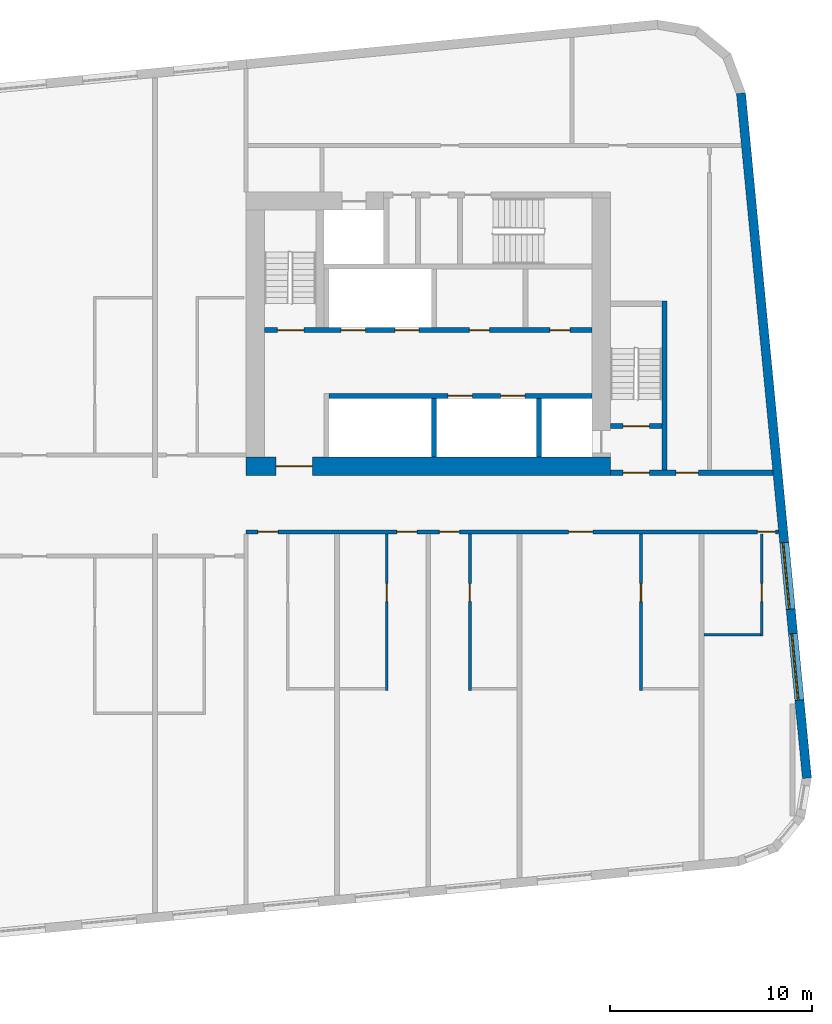
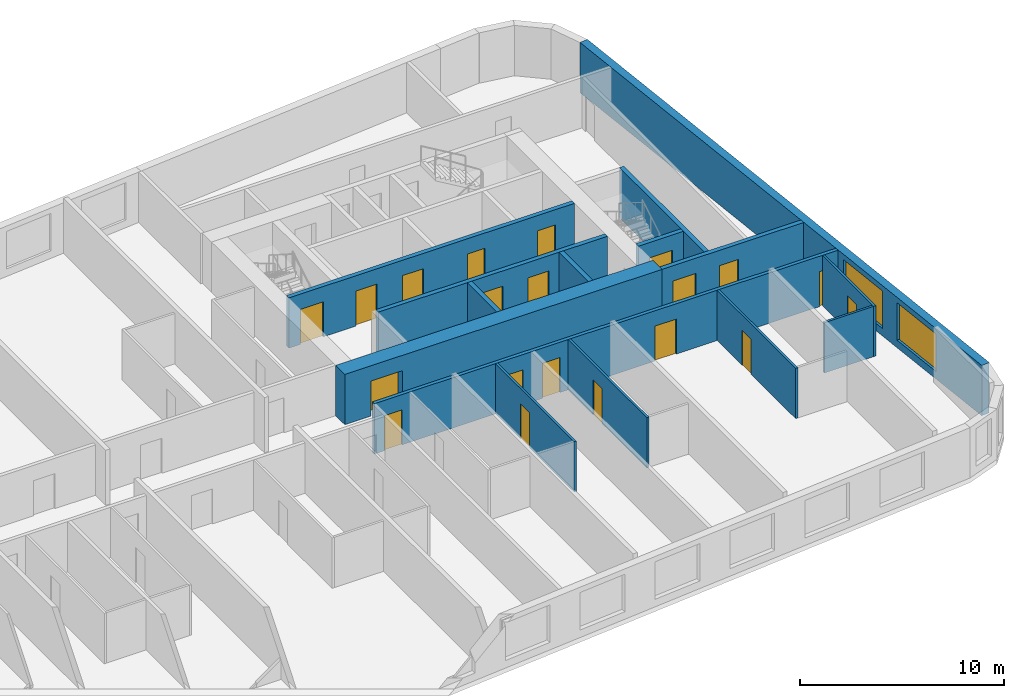
# One storey, part 7 of 12: 20 doors, 15 walls, 2 windows, 22 openings.
"""IFC4 building model written with IfcOpenShell, lengths in metres."""

from ifc_helpers import new_model, si_unit, direction, frame, frame_2d, origin, place, context, subcontext, project, spatial, rectangle, extrude, material, layer, layer_set, type_object, element, fill, save


model = new_model("IFC4")

# Units and contexts
model_context = context("Model", 3, precision=1e-05, world=origin(), true_north=direction((0.0, 1.0)))
body_context = subcontext(model_context, "Body", "Model", "MODEL_VIEW")
ifc_project = project(units=[si_unit("LENGTHUNIT", "METRE"), si_unit("AREAUNIT", "SQUARE_METRE"), si_unit("VOLUMEUNIT", "CUBIC_METRE"), si_unit("PLANEANGLEUNIT", "RADIAN"), si_unit("MASSUNIT", "GRAM", prefix="KILO")], contexts=[model_context])

# Site, building, storey
site_placement = place(None, origin())
site = spatial("IfcSite", under=ifc_project, at=site_placement, CompositionType="ELEMENT")
building_placement = place(site_placement, origin())
building = spatial("IfcBuilding", under=site, at=building_placement, Name="Kajstack Hotel Tower", CompositionType="ELEMENT")
storey_placement = place(building_placement, frame((0.0, 0.0, 199.89990234375)))
storey = spatial("IfcBuildingStorey", under=building, at=storey_placement, Name="L48", CompositionType="ELEMENT", Elevation=199.89990234375)

# Wall, opening, door
ifc_material_1 = material(Name="Concrete C60/75", Category="concrete")
ifc_layer_1 = layer(ifc_material_1, 0.89990234375)
ifc_layer_set_1 = layer_set([ifc_layer_1], Name="Core wall 900")
wall_type_1 = type_object("IfcWallType", Name="Core wall 900", PredefinedType="SHEAR", material=ifc_layer_set_1)
wall_1_placement = place(storey_placement, frame((13.5, 1.949951171875, 0.0), z_axis=(0.0, 0.0, 1.0), x_axis=(1.0, 0.0, 0.0)))
wall_1 = element("IfcWall", 1, at=wall_1_placement, inside=storey, type_object=wall_type_1, Name="Core wall E RN", PredefinedType="SHEAR", context=body_context, shape_type="SweptSolid", body=[
    extrude(rectangle(XDim=18.0, YDim=0.89990234375, at=frame_2d((9.0, 0.0))), origin(), (0.0, 0.0, 1.0), 3.02001953125),
])
opening_1_placement = place(wall_1_placement, frame((1.47509765625, 0.0, 0.0)))
opening_1 = element("IfcOpeningElement", 2, at=opening_1_placement, cuts=wall_1, Name="Opening 48E07", PredefinedType="OPENING", context=body_context, shape_type="SweptSolid", body=[
    extrude(rectangle(XDim=1.800048828125, YDim=2.10009765625, at=frame_2d((0.89990234375, 1.050048828125))), frame((0.0, 0.4599609375, 0.0), z_axis=(0.0, -1.0, 0.0), x_axis=(1.0, 0.0, 0.0)), (0.0, 0.0, 1.0), 0.919921875),
])
ifc_material_2 = material(Name="Glazed steel frame, fire-rated glass", Category="steel")
door_type_1 = type_object("IfcDoorType", Name="Lobby double door 1800", OperationType="DOUBLE_DOOR_DOUBLE_SWING", PredefinedType="DOOR", material=ifc_material_2)
door_1_placement = place(opening_1_placement, origin())
door_1 = element("IfcDoor", 3, at=door_1_placement, inside=storey, type_object=door_type_1, Name="Door 48E07", OperationType="DOUBLE_DOOR_DOUBLE_SWING", OverallHeight=2.10009765625, OverallWidth=1.800048828125, PredefinedType="DOOR", context=body_context, shape_type="SweptSolid", body=[
    extrude(rectangle(XDim=1.800048828125, YDim=2.10009765625, at=frame_2d((0.89990234375, 1.050048828125))), frame((0.0, 0.02490234375, 0.0), z_axis=(0.0, -1.0, 0.0), x_axis=(1.0, 0.0, 0.0)), (0.0, 0.0, 1.0), 0.050048828125),
])
fill(opening_1, door_1)

# Wall, openings, doors
ifc_material_3 = material(Name="Gypsum board on steel studs, mineral wool", Category="steel")
ifc_layer_2 = layer(ifc_material_3, 0.199951171875)
ifc_layer_set_2 = layer_set([ifc_layer_2], Name="Corridor wall 200")
wall_type_2 = type_object("IfcWallType", Name="Corridor wall 200", PredefinedType="PARTITIONING", material=ifc_layer_set_2)
wall_2_placement = place(storey_placement, frame((13.5, -1.300048828125, 0.0), z_axis=(0.0, 0.0, 1.0), x_axis=(1.0, 0.0, 0.0)))
wall_2 = element("IfcWall", 4, at=wall_2_placement, inside=storey, type_object=wall_type_2, Name="G-wall-L48-029", PredefinedType="PARTITIONING", context=body_context, shape_type="SweptSolid", body=[
    extrude(rectangle(XDim=26.31689453125, YDim=0.199951171875, at=frame_2d((13.158447265625, 0.0))), origin(), (0.0, 0.0, 1.0), 3.02001953125),
])
opening_2_placement = place(wall_2_placement, frame((0.574951171875, 0.0, 0.0)))
opening_2 = element("IfcOpeningElement", 5, at=opening_2_placement, cuts=wall_2, Name="Opening 48032", PredefinedType="OPENING", context=body_context, shape_type="SweptSolid", body=[
    extrude(rectangle(XDim=1.0, YDim=2.10009765625, at=frame_2d((0.5, 1.050048828125))), frame((0.0, 0.10986328125, 0.0), z_axis=(0.0, -1.0, 0.0), x_axis=(1.0, 0.0, 0.0)), (0.0, 0.0, 1.0), 0.219970703125),
])
opening_3_placement = place(wall_2_placement, frame((7.449951171875, 0.0, 0.0)))
opening_3 = element("IfcOpeningElement", 6, at=opening_3_placement, cuts=wall_2, Name="Opening 48034", PredefinedType="OPENING", context=body_context, shape_type="SweptSolid", body=[
    extrude(rectangle(XDim=1.0, YDim=2.10009765625, at=frame_2d((0.5, 1.050048828125))), frame((0.0, 0.10986328125, 0.0), z_axis=(0.0, -1.0, 0.0), x_axis=(1.0, 0.0, 0.0)), (0.0, 0.0, 1.0), 0.219970703125),
])
opening_4_placement = place(wall_2_placement, frame((9.550048828125, 0.0, 0.0)))
opening_4 = element("IfcOpeningElement", 7, at=opening_4_placement, cuts=wall_2, Name="Opening 48036", PredefinedType="OPENING", context=body_context, shape_type="SweptSolid", body=[
    extrude(rectangle(XDim=1.0, YDim=2.10009765625, at=frame_2d((0.5, 1.050048828125))), frame((0.0, 0.10986328125, 0.0), z_axis=(0.0, -1.0, 0.0), x_axis=(1.0, 0.0, 0.0)), (0.0, 0.0, 1.0), 0.219970703125),
])
opening_5_placement = place(wall_2_placement, frame((15.93798828125, 0.0, 0.0)))
opening_5 = element("IfcOpeningElement", 8, at=opening_5_placement, cuts=wall_2, Name="Opening 48038", PredefinedType="OPENING", context=body_context, shape_type="SweptSolid", body=[
    extrude(rectangle(XDim=1.199951171875, YDim=2.10009765625, at=frame_2d((0.60009765625, 1.050048828125))), frame((0.0, 0.10986328125, 0.0), z_axis=(0.0, -1.0, 0.0), x_axis=(1.0, 0.0, 0.0)), (0.0, 0.0, 1.0), 0.219970703125),
])
opening_6_placement = place(wall_2_placement, frame((25.26708984375, 0.0, 0.0)))
opening_6 = element("IfcOpeningElement", 9, at=opening_6_placement, cuts=wall_2, Name="Opening 48040", PredefinedType="OPENING", context=body_context, shape_type="SweptSolid", body=[
    extrude(rectangle(XDim=0.89990234375, YDim=2.10009765625, at=frame_2d((0.449951171875, 1.050048828125))), frame((0.0, 0.10986328125, 0.0), z_axis=(0.0, -1.0, 0.0), x_axis=(1.0, 0.0, 0.0)), (0.0, 0.0, 1.0), 0.219970703125),
])
ifc_material_4 = material(Name="Oak veneer on timber core, fire-rated leaf", Category="wood")
door_type_2 = type_object("IfcDoorType", Name="Flat entrance door 1000", OperationType="SINGLE_SWING_LEFT", PredefinedType="DOOR", material=ifc_material_4)
door_2_placement = place(opening_2_placement, origin())
door_2 = element("IfcDoor", 10, at=door_2_placement, inside=storey, type_object=door_type_2, Name="G-door-L48-32", OperationType="SINGLE_SWING_LEFT", OverallHeight=2.10009765625, OverallWidth=1.0, PredefinedType="DOOR", context=body_context, shape_type="SweptSolid", body=[
    extrude(rectangle(XDim=1.0, YDim=2.10009765625, at=frame_2d((0.5, 1.050048828125))), frame((0.0, 0.02490234375, 0.0), z_axis=(0.0, -1.0, 0.0), x_axis=(1.0, 0.0, 0.0)), (0.0, 0.0, 1.0), 0.050048828125),
])
fill(opening_2, door_2)
door_3_placement = place(opening_3_placement, origin())
door_3 = element("IfcDoor", 11, at=door_3_placement, inside=storey, type_object=door_type_2, Name="G-door-L48-34", OperationType="SINGLE_SWING_RIGHT", OverallHeight=2.10009765625, OverallWidth=1.0, PredefinedType="DOOR", context=body_context, shape_type="SweptSolid", body=[
    extrude(rectangle(XDim=1.0, YDim=2.10009765625, at=frame_2d((0.5, 1.050048828125))), frame((0.0, 0.02490234375, 0.0), z_axis=(0.0, -1.0, 0.0), x_axis=(1.0, 0.0, 0.0)), (0.0, 0.0, 1.0), 0.050048828125),
])
fill(opening_3, door_3)
door_4_placement = place(opening_4_placement, origin())
door_4 = element("IfcDoor", 12, at=door_4_placement, inside=storey, type_object=door_type_2, Name="G-door-L48-36", OperationType="SINGLE_SWING_RIGHT", OverallHeight=2.10009765625, OverallWidth=1.0, PredefinedType="DOOR", context=body_context, shape_type="SweptSolid", body=[
    extrude(rectangle(XDim=1.0, YDim=2.10009765625, at=frame_2d((0.5, 1.050048828125))), frame((0.0, 0.02490234375, 0.0), z_axis=(0.0, -1.0, 0.0), x_axis=(1.0, 0.0, 0.0)), (0.0, 0.0, 1.0), 0.050048828125),
])
fill(opening_4, door_4)
door_type_3 = type_object("IfcDoorType", Name="Flat entrance door 1200", OperationType="SINGLE_SWING_LEFT", PredefinedType="DOOR", material=ifc_material_4)
door_5_placement = place(opening_5_placement, origin())
door_5 = element("IfcDoor", 13, at=door_5_placement, inside=storey, type_object=door_type_3, Name="G-door-L48-38", OperationType="SINGLE_SWING_LEFT", OverallHeight=2.10009765625, OverallWidth=1.199951171875, PredefinedType="DOOR", context=body_context, shape_type="SweptSolid", body=[
    extrude(rectangle(XDim=1.199951171875, YDim=2.10009765625, at=frame_2d((0.60009765625, 1.050048828125))), frame((0.0, 0.02490234375, 0.0), z_axis=(0.0, -1.0, 0.0), x_axis=(1.0, 0.0, 0.0)), (0.0, 0.0, 1.0), 0.050048828125),
])
fill(opening_5, door_5)
ifc_material_5 = material(Name="Painted timber door leaf", Category="wood")
door_type_4 = type_object("IfcDoorType", Name="Room door 900", OperationType="SINGLE_SWING_LEFT", PredefinedType="DOOR", material=ifc_material_5)
door_6_placement = place(opening_6_placement, origin())
door_6 = element("IfcDoor", 14, at=door_6_placement, inside=storey, type_object=door_type_4, Name="G-door-L48-40", OperationType="SINGLE_SWING_RIGHT", OverallHeight=2.10009765625, OverallWidth=0.89990234375, PredefinedType="DOOR", context=body_context, shape_type="SweptSolid", body=[
    extrude(rectangle(XDim=0.89990234375, YDim=2.10009765625, at=frame_2d((0.449951171875, 1.050048828125))), frame((0.0, 0.02490234375, 0.0), z_axis=(0.0, -1.0, 0.0), x_axis=(1.0, 0.0, 0.0)), (0.0, 0.0, 1.0), 0.050048828125),
])
fill(opening_6, door_6)

# Wall, openings, windows
ifc_material_6 = material(Name="Terracotta-faced brick masonry", Category="masonry")
ifc_layer_3 = layer(ifc_material_6, 0.449951171875)
ifc_layer_set_3 = layer_set([ifc_layer_3], Name="EW-TERRA")
wall_type_3 = type_object("IfcWallType", Name="EW-TERRA", PredefinedType="SOLIDWALL", material=ifc_layer_set_3)
wall_3_placement = place(storey_placement, frame((41.21435546875, -13.465576171875, 0.0), z_axis=(0.0, 0.0, 1.0), x_axis=(-0.095847314626, 0.995396047952, 0.0)))
wall_3 = element("IfcWall", 15, at=wall_3_placement, inside=storey, type_object=wall_type_3, Name="E-wall-L48-08-00", PredefinedType="SOLIDWALL", context=body_context, shape_type="SweptSolid", body=[
    extrude(rectangle(XDim=33.999755859375, YDim=0.449951171875, at=frame_2d((17.0, 0.0))), origin(), (0.0, 0.0, 1.0), 3.02001953125),
])
opening_7_placement = place(wall_3_placement, frame((3.869384765625, 0.0, 0.449951171875)))
opening_7 = element("IfcOpeningElement", 16, at=opening_7_placement, cuts=wall_3, Name="Opening W2", PredefinedType="OPENING", context=body_context, shape_type="SweptSolid", body=[
    extrude(rectangle(XDim=3.300048828125, YDim=2.25, at=frame_2d((1.64990234375, 1.125))), frame((0.0, 0.23486328125, 0.0), z_axis=(0.0, -1.0, 0.0), x_axis=(1.0, 0.0, 0.0)), (0.0, 0.0, 1.0), 0.469970703125),
])
opening_8_placement = place(wall_3_placement, frame((8.390380859375, 0.0, 0.449951171875)))
opening_8 = element("IfcOpeningElement", 17, at=opening_8_placement, cuts=wall_3, Name="Opening W2", PredefinedType="OPENING", context=body_context, shape_type="SweptSolid", body=[
    extrude(rectangle(XDim=3.300048828125, YDim=2.25, at=frame_2d((1.64990234375, 1.125))), frame((0.0, 0.23486328125, 0.0), z_axis=(0.0, -1.0, 0.0), x_axis=(1.0, 0.0, 0.0)), (0.0, 0.0, 1.0), 0.469970703125),
])
ifc_material_7 = material(Name="Timber-aluminium window, triple glazed", Category="wood")
window_type = type_object("IfcWindowType", Name="WG2", PartitioningType="SINGLE_PANEL", PredefinedType="WINDOW", material=ifc_material_7)
window_1_placement = place(opening_7_placement, origin())
window_1 = element("IfcWindow", 18, at=window_1_placement, inside=storey, type_object=window_type, Name="Window W2 L48-08", OverallHeight=2.25, OverallWidth=3.300048828125, PartitioningType="SINGLE_PANEL", PredefinedType="WINDOW", context=body_context, shape_type="SweptSolid", body=[
    extrude(rectangle(XDim=3.300048828125, YDim=2.25, at=frame_2d((1.64990234375, 1.125))), frame((0.0, 0.090087890625, 0.0), z_axis=(0.0, -1.0, 0.0), x_axis=(1.0, 0.0, 0.0)), (0.0, 0.0, 1.0), 0.06005859375),
])
fill(opening_7, window_1)
window_2_placement = place(opening_8_placement, origin())
window_2 = element("IfcWindow", 19, at=window_2_placement, inside=storey, type_object=window_type, Name="Window W2 L48-08", OverallHeight=2.25, OverallWidth=3.300048828125, PartitioningType="SINGLE_PANEL", PredefinedType="WINDOW", context=body_context, shape_type="SweptSolid", body=[
    extrude(rectangle(XDim=3.300048828125, YDim=2.25, at=frame_2d((1.64990234375, 1.125))), frame((0.0, 0.090087890625, 0.0), z_axis=(0.0, -1.0, 0.0), x_axis=(1.0, 0.0, 0.0)), (0.0, 0.0, 1.0), 0.06005859375),
])
fill(opening_8, window_2)

# Wall, opening, door
ifc_material_8 = material(Name="Gypsum board and tiled backer on steel studs", Category="steel")
ifc_layer_4 = layer(ifc_material_8, 0.125)
ifc_layer_set_4 = layer_set([ifc_layer_4], Name="En-suite wall 125")
wall_type_4 = type_object("IfcWallType", Name="En-suite wall 125", PredefinedType="PARTITIONING", material=ifc_layer_set_4)
wall_4_placement = place(storey_placement, frame((20.43798828125, -9.125, 0.0), z_axis=(0.0, 0.0, 1.0), x_axis=(0.0, 1.0, 0.0)))
wall_4 = element("IfcWall", 20, at=wall_4_placement, inside=storey, type_object=wall_type_4, Name="G-wall-L48-046", PredefinedType="PARTITIONING", context=body_context, shape_type="SweptSolid", body=[
    extrude(rectangle(XDim=7.72509765625, YDim=0.125, at=frame_2d((3.862548828125, 0.0))), origin(), (0.0, 0.0, 1.0), 3.02001953125),
])
opening_9_placement = place(wall_4_placement, frame((4.375, 0.0, 0.0)))
opening_9 = element("IfcOpeningElement", 21, at=opening_9_placement, cuts=wall_4, Name="Opening 48035", PredefinedType="OPENING", context=body_context, shape_type="SweptSolid", body=[
    extrude(rectangle(XDim=0.89990234375, YDim=2.10009765625, at=frame_2d((0.449951171875, 1.050048828125))), frame((0.0, 0.072509765625, 0.0), z_axis=(0.0, -1.0, 0.0), x_axis=(1.0, 0.0, 0.0)), (0.0, 0.0, 1.0), 0.14501953125),
])
door_7_placement = place(opening_9_placement, origin())
door_7 = element("IfcDoor", 22, at=door_7_placement, inside=storey, type_object=door_type_4, Name="G-door-L48-35", OperationType="SINGLE_SWING_LEFT", OverallHeight=2.10009765625, OverallWidth=0.89990234375, PredefinedType="DOOR", context=body_context, shape_type="SweptSolid", body=[
    extrude(rectangle(XDim=0.89990234375, YDim=2.10009765625, at=frame_2d((0.449951171875, 1.050048828125))), frame((0.0, 0.02490234375, 0.0), z_axis=(0.0, -1.0, 0.0), x_axis=(1.0, 0.0, 0.0)), (0.0, 0.0, 1.0), 0.050048828125),
])
fill(opening_9, door_7)

wall_5_placement = place(storey_placement, frame((24.56201171875, -9.125, 0.0), z_axis=(0.0, 0.0, 1.0), x_axis=(0.0, 1.0, 0.0)))
wall_5 = element("IfcWall", 23, at=wall_5_placement, inside=storey, type_object=wall_type_4, Name="G-wall-L48-048", PredefinedType="PARTITIONING", context=body_context, shape_type="SweptSolid", body=[
    extrude(rectangle(XDim=7.72509765625, YDim=0.125, at=frame_2d((3.862548828125, 0.0))), origin(), (0.0, 0.0, 1.0), 3.02001953125),
])
opening_10_placement = place(wall_5_placement, frame((4.375, 0.0, 0.0)))
opening_10 = element("IfcOpeningElement", 24, at=opening_10_placement, cuts=wall_5, Name="Opening 48037", PredefinedType="OPENING", context=body_context, shape_type="SweptSolid", body=[
    extrude(rectangle(XDim=0.89990234375, YDim=2.10009765625, at=frame_2d((0.449951171875, 1.050048828125))), frame((0.0, 0.072509765625, 0.0), z_axis=(0.0, -1.0, 0.0), x_axis=(1.0, 0.0, 0.0)), (0.0, 0.0, 1.0), 0.14501953125),
])
door_8_placement = place(opening_10_placement, origin())
door_8 = element("IfcDoor", 25, at=door_8_placement, inside=storey, type_object=door_type_4, Name="G-door-L48-37", OperationType="SINGLE_SWING_RIGHT", OverallHeight=2.10009765625, OverallWidth=0.89990234375, PredefinedType="DOOR", context=body_context, shape_type="SweptSolid", body=[
    extrude(rectangle(XDim=0.89990234375, YDim=2.10009765625, at=frame_2d((0.449951171875, 1.050048828125))), frame((0.0, 0.02490234375, 0.0), z_axis=(0.0, -1.0, 0.0), x_axis=(1.0, 0.0, 0.0)), (0.0, 0.0, 1.0), 0.050048828125),
])
fill(opening_10, door_8)

wall_6_placement = place(storey_placement, frame((33.012939453125, -9.125, 0.0), z_axis=(0.0, 0.0, 1.0), x_axis=(0.0, 1.0, 0.0)))
wall_6 = element("IfcWall", 26, at=wall_6_placement, inside=storey, type_object=wall_type_4, Name="G-wall-L48-050", PredefinedType="PARTITIONING", context=body_context, shape_type="SweptSolid", body=[
    extrude(rectangle(XDim=7.72509765625, YDim=0.125, at=frame_2d((3.862548828125, 0.0))), origin(), (0.0, 0.0, 1.0), 3.02001953125),
])
opening_11_placement = place(wall_6_placement, frame((4.375, 0.0, 0.0)))
opening_11 = element("IfcOpeningElement", 27, at=opening_11_placement, cuts=wall_6, Name="Opening 48039", PredefinedType="OPENING", context=body_context, shape_type="SweptSolid", body=[
    extrude(rectangle(XDim=0.89990234375, YDim=2.10009765625, at=frame_2d((0.449951171875, 1.050048828125))), frame((0.0, 0.072509765625, 0.0), z_axis=(0.0, -1.0, 0.0), x_axis=(1.0, 0.0, 0.0)), (0.0, 0.0, 1.0), 0.14501953125),
])
door_9_placement = place(opening_11_placement, origin())
door_9 = element("IfcDoor", 28, at=door_9_placement, inside=storey, type_object=door_type_4, Name="G-door-L48-39", OperationType="SINGLE_SWING_RIGHT", OverallHeight=2.10009765625, OverallWidth=0.89990234375, PredefinedType="DOOR", context=body_context, shape_type="SweptSolid", body=[
    extrude(rectangle(XDim=0.89990234375, YDim=2.10009765625, at=frame_2d((0.449951171875, 1.050048828125))), frame((0.0, 0.02490234375, 0.0), z_axis=(0.0, -1.0, 0.0), x_axis=(1.0, 0.0, 0.0)), (0.0, 0.0, 1.0), 0.050048828125),
])
fill(opening_11, door_9)

wall_7_placement = place(storey_placement, frame((38.987060546875, -6.445068359375, 0.0), z_axis=(0.0, 0.0, 1.0), x_axis=(0.0, 1.0, 0.0)))
wall_7 = element("IfcWall", 29, at=wall_7_placement, inside=storey, type_object=wall_type_4, Name="G-wall-L48-052", PredefinedType="PARTITIONING", context=body_context, shape_type="SweptSolid", body=[
    extrude(rectangle(XDim=5.045166015625, YDim=0.125, at=frame_2d((2.5224609375, 0.0))), origin(), (0.0, 0.0, 1.0), 3.02001953125),
])
opening_12_placement = place(wall_7_placement, frame((1.695068359375, 0.0, 0.0)))
opening_12 = element("IfcOpeningElement", 30, at=opening_12_placement, cuts=wall_7, Name="Opening 48041", PredefinedType="OPENING", context=body_context, shape_type="SweptSolid", body=[
    extrude(rectangle(XDim=0.89990234375, YDim=2.10009765625, at=frame_2d((0.449951171875, 1.050048828125))), frame((0.0, 0.072509765625, 0.0), z_axis=(0.0, -1.0, 0.0), x_axis=(1.0, 0.0, 0.0)), (0.0, 0.0, 1.0), 0.14501953125),
])
door_10_placement = place(opening_12_placement, origin())
door_10 = element("IfcDoor", 31, at=door_10_placement, inside=storey, type_object=door_type_4, Name="G-door-L48-41", OperationType="SINGLE_SWING_RIGHT", OverallHeight=2.10009765625, OverallWidth=0.89990234375, PredefinedType="DOOR", context=body_context, shape_type="SweptSolid", body=[
    extrude(rectangle(XDim=0.89990234375, YDim=2.10009765625, at=frame_2d((0.449951171875, 1.050048828125))), frame((0.0, 0.02490234375, 0.0), z_axis=(0.0, -1.0, 0.0), x_axis=(1.0, 0.0, 0.0)), (0.0, 0.0, 1.0), 0.050048828125),
])
fill(opening_12, door_10)

# Walls
wall_8_placement = place(storey_placement, frame((36.125, -6.382080078125, 0.0), z_axis=(0.0, 0.0, 1.0), x_axis=(1.0, 0.0, 0.0)))
element("IfcWall", 32, at=wall_8_placement, inside=storey, type_object=wall_type_4, Name="G-wall-L48-053", PredefinedType="PARTITIONING", context=body_context, shape_type="SweptSolid", body=[
    extrude(rectangle(XDim=2.800048828125, YDim=0.125, at=frame_2d((1.39990234375, 0.0))), origin(), (0.0, 0.0, 1.0), 3.02001953125),
])
ifc_material_9 = material(Name="Concrete C50/60", Category="concrete")
ifc_layer_5 = layer(ifc_material_9, 0.300048828125)
ifc_layer_set_5 = layer_set([ifc_layer_5], Name="Hoistway divider wall 300")
wall_type_5 = type_object("IfcWallType", Name="Hoistway divider wall 300", PredefinedType="SHEAR", material=ifc_layer_set_5)
wall_9_placement = place(storey_placement, frame((22.77490234375, 2.39990234375, 0.0), z_axis=(0.0, 0.0, 1.0), x_axis=(0.0, 1.0, 0.0)))
element("IfcWall", 33, at=wall_9_placement, inside=storey, type_object=wall_type_5, Name="Core wall E AP2", PredefinedType="SHEAR", context=body_context, shape_type="SweptSolid", body=[
    extrude(rectangle(XDim=2.900146484375, YDim=0.25, at=frame_2d((1.4501953125, 0.0))), origin(), (0.0, 0.0, 1.0), 3.02001953125),
])

# Wall, openings, doors
ifc_layer_6 = layer(ifc_material_3, 0.199951171875)
ifc_layer_set_6 = layer_set([ifc_layer_6], Name="Service partition 200")
wall_type_6 = type_object("IfcWallType", Name="Service partition 200", PredefinedType="PARTITIONING", material=ifc_layer_set_6)
wall_10_placement = place(storey_placement, frame((31.5, 1.625, 0.0), z_axis=(0.0, 0.0, 1.0), x_axis=(1.0, 0.0, 0.0)))
wall_10 = element("IfcWall", 34, at=wall_10_placement, inside=storey, type_object=wall_type_6, Name="Partition E SN", PredefinedType="PARTITIONING", context=body_context, shape_type="SweptSolid", body=[
    extrude(rectangle(XDim=8.035400390625, YDim=0.25, at=frame_2d((4.017578125, 0.0))), origin(), (0.0, 0.0, 1.0), 3.02001953125),
])
opening_13_placement = place(wall_10_placement, frame((0.625, 0.0, 0.0)))
opening_13 = element("IfcOpeningElement", 35, at=opening_13_placement, cuts=wall_10, Name="Opening 48E08", PredefinedType="OPENING", context=body_context, shape_type="SweptSolid", body=[
    extrude(rectangle(XDim=1.300048828125, YDim=2.10009765625, at=frame_2d((0.64990234375, 1.050048828125))), frame((0.0, 0.135009765625, 0.0), z_axis=(0.0, -1.0, 0.0), x_axis=(1.0, 0.0, 0.0)), (0.0, 0.0, 1.0), 0.27001953125),
])
opening_14_placement = place(wall_10_placement, frame((3.25, 0.0, 0.0)))
opening_14 = element("IfcOpeningElement", 36, at=opening_14_placement, cuts=wall_10, Name="Opening 48E10", PredefinedType="OPENING", context=body_context, shape_type="SweptSolid", body=[
    extrude(rectangle(XDim=1.10009765625, YDim=2.10009765625, at=frame_2d((0.550048828125, 1.050048828125))), frame((0.0, 0.135009765625, 0.0), z_axis=(0.0, -1.0, 0.0), x_axis=(1.0, 0.0, 0.0)), (0.0, 0.0, 1.0), 0.27001953125),
])
ifc_material_10 = material(Name="Steel leaf, fire-rated", Category="steel")
door_type_5 = type_object("IfcDoorType", Name="Fire lobby door 1300", OperationType="SINGLE_SWING_LEFT", PredefinedType="DOOR", material=ifc_material_10)
door_11_placement = place(opening_13_placement, origin())
door_11 = element("IfcDoor", 37, at=door_11_placement, inside=storey, type_object=door_type_5, Name="Door 48E08", OperationType="SINGLE_SWING_LEFT", OverallHeight=2.10009765625, OverallWidth=1.300048828125, PredefinedType="DOOR", context=body_context, shape_type="SweptSolid", body=[
    extrude(rectangle(XDim=1.300048828125, YDim=2.10009765625, at=frame_2d((0.64990234375, 1.050048828125))), frame((0.0, 0.02490234375, 0.0), z_axis=(0.0, -1.0, 0.0), x_axis=(1.0, 0.0, 0.0)), (0.0, 0.0, 1.0), 0.050048828125),
])
fill(opening_13, door_11)
ifc_material_11 = material(Name="Timber leaf, fire-rated", Category="wood")
door_type_6 = type_object("IfcDoorType", Name="Service corridor door 1100", OperationType="SINGLE_SWING_LEFT", PredefinedType="DOOR", material=ifc_material_11)
door_12_placement = place(opening_14_placement, origin())
door_12 = element("IfcDoor", 38, at=door_12_placement, inside=storey, type_object=door_type_6, Name="Door 48E10", OperationType="SINGLE_SWING_LEFT", OverallHeight=2.10009765625, OverallWidth=1.10009765625, PredefinedType="DOOR", context=body_context, shape_type="SweptSolid", body=[
    extrude(rectangle(XDim=1.10009765625, YDim=2.10009765625, at=frame_2d((0.550048828125, 1.050048828125))), frame((0.0, 0.02490234375, 0.0), z_axis=(0.0, -1.0, 0.0), x_axis=(1.0, 0.0, 0.0)), (0.0, 0.0, 1.0), 0.050048828125),
])
fill(opening_14, door_12)

ifc_layer_7 = layer(ifc_material_9, 0.25)
ifc_layer_set_7 = layer_set([ifc_layer_7], Name="Shaft wall 250")
wall_type_7 = type_object("IfcWallType", Name="Shaft wall 250", PredefinedType="SHEAR", material=ifc_layer_set_7)
wall_11_placement = place(storey_placement, frame((17.60009765625, 5.425048828125, 0.0), z_axis=(0.0, 0.0, 1.0), x_axis=(1.0, 0.0, 0.0)))
wall_11 = element("IfcWall", 39, at=wall_11_placement, inside=storey, type_object=wall_type_7, Name="Core wall E FA", PredefinedType="SHEAR", context=body_context, shape_type="SweptSolid", body=[
    extrude(rectangle(XDim=13.0, YDim=0.25, at=frame_2d((6.5, 0.0))), origin(), (0.0, 0.0, 1.0), 3.02001953125),
])
opening_15_placement = place(wall_11_placement, frame((8.47509765625, 0.0, 0.0)))
opening_15 = element("IfcOpeningElement", 40, at=opening_15_placement, cuts=wall_11, Name="Opening LD-MR7", PredefinedType="OPENING", context=body_context, shape_type="SweptSolid", body=[
    extrude(rectangle(XDim=1.199951171875, YDim=2.10009765625, at=frame_2d((0.60009765625, 1.050048828125))), frame((0.0, 0.135009765625, 0.0), z_axis=(0.0, -1.0, 0.0), x_axis=(1.0, 0.0, 0.0)), (0.0, 0.0, 1.0), 0.27001953125),
])
opening_16_placement = place(wall_11_placement, frame((5.875, 0.0, 0.0)))
opening_16 = element("IfcOpeningElement", 41, at=opening_16_placement, cuts=wall_11, Name="Opening LD-MR8", PredefinedType="OPENING", context=body_context, shape_type="SweptSolid", body=[
    extrude(rectangle(XDim=1.199951171875, YDim=2.10009765625, at=frame_2d((0.60009765625, 1.050048828125))), frame((0.0, 0.135009765625, 0.0), z_axis=(0.0, -1.0, 0.0), x_axis=(1.0, 0.0, 0.0)), (0.0, 0.0, 1.0), 0.27001953125),
])
ifc_material_12 = material(Name="Stainless steel", Category="steel")
door_type_7 = type_object("IfcDoorType", Name="Lift landing door 1200", OperationType="SLIDING_TO_LEFT", PredefinedType="DOOR", material=ifc_material_12)
door_13_placement = place(opening_15_placement, origin())
door_13 = element("IfcDoor", 42, at=door_13_placement, inside=storey, type_object=door_type_7, Name="Landing door MR7", OperationType="SLIDING_TO_LEFT", OverallHeight=2.10009765625, OverallWidth=1.199951171875, PredefinedType="DOOR", context=body_context, shape_type="SweptSolid", body=[
    extrude(rectangle(XDim=1.199951171875, YDim=2.10009765625, at=frame_2d((0.60009765625, 1.050048828125))), frame((0.0, 0.02490234375, 0.0), z_axis=(0.0, -1.0, 0.0), x_axis=(1.0, 0.0, 0.0)), (0.0, 0.0, 1.0), 0.050048828125),
])
fill(opening_15, door_13)
door_14_placement = place(opening_16_placement, origin())
door_14 = element("IfcDoor", 43, at=door_14_placement, inside=storey, type_object=door_type_7, Name="Landing door MR8", OperationType="SLIDING_TO_RIGHT", OverallHeight=2.10009765625, OverallWidth=1.199951171875, PredefinedType="DOOR", context=body_context, shape_type="SweptSolid", body=[
    extrude(rectangle(XDim=1.199951171875, YDim=2.10009765625, at=frame_2d((0.60009765625, 1.050048828125))), frame((0.0, 0.02490234375, 0.0), z_axis=(0.0, -1.0, 0.0), x_axis=(1.0, 0.0, 0.0)), (0.0, 0.0, 1.0), 0.050048828125),
])
fill(opening_16, door_14)

# Wall
wall_12_placement = place(storey_placement, frame((27.97509765625, 2.39990234375, 0.0), z_axis=(0.0, 0.0, 1.0), x_axis=(0.0, 1.0, 0.0)))
element("IfcWall", 44, at=wall_12_placement, inside=storey, type_object=wall_type_7, Name="Core wall E AP0", PredefinedType="SHEAR", context=body_context, shape_type="SweptSolid", body=[
    extrude(rectangle(XDim=2.900146484375, YDim=0.25, at=frame_2d((1.4501953125, 0.0))), origin(), (0.0, 0.0, 1.0), 3.02001953125),
])

# Wall, openings, doors
wall_13_placement = place(storey_placement, frame((14.39990234375, 8.675048828125, 0.0), z_axis=(0.0, 0.0, 1.0), x_axis=(1.0, 0.0, 0.0)))
wall_13 = element("IfcWall", 45, at=wall_13_placement, inside=storey, type_object=wall_type_7, Name="Core wall E FB", PredefinedType="SHEAR", context=body_context, shape_type="SweptSolid", body=[
    extrude(rectangle(XDim=16.2001953125, YDim=0.25, at=frame_2d((8.10009765625, 0.0))), origin(), (0.0, 0.0, 1.0), 3.02001953125),
])
opening_17_placement = place(wall_13_placement, frame((6.449951171875, 0.0, 0.0)))
opening_17 = element("IfcOpeningElement", 46, at=opening_17_placement, cuts=wall_13, Name="Opening LD-MR5", PredefinedType="OPENING", context=body_context, shape_type="SweptSolid", body=[
    extrude(rectangle(XDim=1.199951171875, YDim=2.10009765625, at=frame_2d((0.60009765625, 1.050048828125))), frame((0.0, 0.135009765625, 0.0), z_axis=(0.0, -1.0, 0.0), x_axis=(1.0, 0.0, 0.0)), (0.0, 0.0, 1.0), 0.27001953125),
])
opening_18_placement = place(wall_13_placement, frame((3.800048828125, 0.0, 0.0)))
opening_18 = element("IfcOpeningElement", 47, at=opening_18_placement, cuts=wall_13, Name="Opening LD-MR6", PredefinedType="OPENING", context=body_context, shape_type="SweptSolid", body=[
    extrude(rectangle(XDim=1.199951171875, YDim=2.10009765625, at=frame_2d((0.60009765625, 1.050048828125))), frame((0.0, 0.135009765625, 0.0), z_axis=(0.0, -1.0, 0.0), x_axis=(1.0, 0.0, 0.0)), (0.0, 0.0, 1.0), 0.27001953125),
])
opening_19_placement = place(wall_13_placement, frame((0.64990234375, 0.0, 0.0)))
opening_19 = element("IfcOpeningElement", 48, at=opening_19_placement, cuts=wall_13, Name="Opening 48E11", PredefinedType="OPENING", context=body_context, shape_type="SweptSolid", body=[
    extrude(rectangle(XDim=1.300048828125, YDim=2.10009765625, at=frame_2d((0.64990234375, 1.050048828125))), frame((0.0, 0.135009765625, 0.0), z_axis=(0.0, -1.0, 0.0), x_axis=(1.0, 0.0, 0.0)), (0.0, 0.0, 1.0), 0.27001953125),
])
opening_20_placement = place(wall_13_placement, frame((14.112548828125, 0.0, 0.0)))
opening_20 = element("IfcOpeningElement", 49, at=opening_20_placement, cuts=wall_13, Name="Opening 48E15", PredefinedType="OPENING", context=body_context, shape_type="SweptSolid", body=[
    extrude(rectangle(XDim=1.0, YDim=2.10009765625, at=frame_2d((0.5, 1.050048828125))), frame((0.0, 0.135009765625, 0.0), z_axis=(0.0, -1.0, 0.0), x_axis=(1.0, 0.0, 0.0)), (0.0, 0.0, 1.0), 0.27001953125),
])
opening_21_placement = place(wall_13_placement, frame((10.137451171875, 0.0, 0.0)))
opening_21 = element("IfcOpeningElement", 50, at=opening_21_placement, cuts=wall_13, Name="Opening 48E16", PredefinedType="OPENING", context=body_context, shape_type="SweptSolid", body=[
    extrude(rectangle(XDim=1.0, YDim=2.10009765625, at=frame_2d((0.5, 1.050048828125))), frame((0.0, 0.135009765625, 0.0), z_axis=(0.0, -1.0, 0.0), x_axis=(1.0, 0.0, 0.0)), (0.0, 0.0, 1.0), 0.27001953125),
])
door_15_placement = place(opening_17_placement, origin())
door_15 = element("IfcDoor", 51, at=door_15_placement, inside=storey, type_object=door_type_7, Name="Landing door MR5", OperationType="SLIDING_TO_LEFT", OverallHeight=2.10009765625, OverallWidth=1.199951171875, PredefinedType="DOOR", context=body_context, shape_type="SweptSolid", body=[
    extrude(rectangle(XDim=1.199951171875, YDim=2.10009765625, at=frame_2d((0.60009765625, 1.050048828125))), frame((0.0, 0.02490234375, 0.0), z_axis=(0.0, -1.0, 0.0), x_axis=(1.0, 0.0, 0.0)), (0.0, 0.0, 1.0), 0.050048828125),
])
fill(opening_17, door_15)
door_16_placement = place(opening_18_placement, origin())
door_16 = element("IfcDoor", 52, at=door_16_placement, inside=storey, type_object=door_type_7, Name="Landing door MR6", OperationType="SLIDING_TO_RIGHT", OverallHeight=2.10009765625, OverallWidth=1.199951171875, PredefinedType="DOOR", context=body_context, shape_type="SweptSolid", body=[
    extrude(rectangle(XDim=1.199951171875, YDim=2.10009765625, at=frame_2d((0.60009765625, 1.050048828125))), frame((0.0, 0.02490234375, 0.0), z_axis=(0.0, -1.0, 0.0), x_axis=(1.0, 0.0, 0.0)), (0.0, 0.0, 1.0), 0.050048828125),
])
fill(opening_18, door_16)
door_type_8 = type_object("IfcDoorType", Name="Service room door 1000", OperationType="SINGLE_SWING_LEFT", PredefinedType="DOOR", material=ifc_material_11)
door_17_placement = place(opening_20_placement, origin())
door_17 = element("IfcDoor", 53, at=door_17_placement, inside=storey, type_object=door_type_8, Name="Door 48E15", OperationType="SINGLE_SWING_LEFT", OverallHeight=2.10009765625, OverallWidth=1.0, PredefinedType="DOOR", context=body_context, shape_type="SweptSolid", body=[
    extrude(rectangle(XDim=1.0, YDim=2.10009765625, at=frame_2d((0.5, 1.050048828125))), frame((0.0, 0.02490234375, 0.0), z_axis=(0.0, -1.0, 0.0), x_axis=(1.0, 0.0, 0.0)), (0.0, 0.0, 1.0), 0.050048828125),
])
fill(opening_20, door_17)
door_18_placement = place(opening_21_placement, origin())
door_18 = element("IfcDoor", 54, at=door_18_placement, inside=storey, type_object=door_type_8, Name="Door 48E16", OperationType="SINGLE_SWING_LEFT", OverallHeight=2.10009765625, OverallWidth=1.0, PredefinedType="DOOR", context=body_context, shape_type="SweptSolid", body=[
    extrude(rectangle(XDim=1.0, YDim=2.10009765625, at=frame_2d((0.5, 1.050048828125))), frame((0.0, 0.02490234375, 0.0), z_axis=(0.0, -1.0, 0.0), x_axis=(1.0, 0.0, 0.0)), (0.0, 0.0, 1.0), 0.050048828125),
])
fill(opening_21, door_18)
door_type_9 = type_object("IfcDoorType", Name="Stair door 1300", OperationType="SINGLE_SWING_LEFT", PredefinedType="DOOR", material=ifc_material_10)
door_19_placement = place(opening_19_placement, origin())
door_19 = element("IfcDoor", 55, at=door_19_placement, inside=storey, type_object=door_type_9, Name="Door 48E11", OperationType="SINGLE_SWING_LEFT", OverallHeight=2.10009765625, OverallWidth=1.300048828125, PredefinedType="DOOR", context=body_context, shape_type="SweptSolid", body=[
    extrude(rectangle(XDim=1.300048828125, YDim=2.10009765625, at=frame_2d((0.64990234375, 1.050048828125))), frame((0.0, 0.02490234375, 0.0), z_axis=(0.0, -1.0, 0.0), x_axis=(1.0, 0.0, 0.0)), (0.0, 0.0, 1.0), 0.050048828125),
])
fill(opening_19, door_19)

# Wall, opening, door
ifc_material_13 = material(Name="Concrete C40/50", Category="concrete")
ifc_layer_8 = layer(ifc_material_13, 0.25)
ifc_layer_set_8 = layer_set([ifc_layer_8], Name="Stair enclosure wall 250")
wall_type_8 = type_object("IfcWallType", Name="Stair enclosure wall 250", PredefinedType="SHEAR", material=ifc_layer_set_8)
wall_14_placement = place(storey_placement, frame((31.5, 3.925048828125, 0.0), z_axis=(0.0, 0.0, 1.0), x_axis=(1.0, 0.0, 0.0)))
wall_14 = element("IfcWall", 56, at=wall_14_placement, inside=storey, type_object=wall_type_8, Name="Core wall E W1N", PredefinedType="SHEAR", context=body_context, shape_type="SweptSolid", body=[
    extrude(rectangle(XDim=2.550048828125, YDim=0.25, at=frame_2d((1.27490234375, 0.0))), origin(), (0.0, 0.0, 1.0), 3.02001953125),
])
opening_22_placement = place(wall_14_placement, frame((0.625, 0.0, 0.0)))
opening_22 = element("IfcOpeningElement", 57, at=opening_22_placement, cuts=wall_14, Name="Opening 48E09", PredefinedType="OPENING", context=body_context, shape_type="SweptSolid", body=[
    extrude(rectangle(XDim=1.300048828125, YDim=2.10009765625, at=frame_2d((0.64990234375, 1.050048828125))), frame((0.0, 0.135009765625, 0.0), z_axis=(0.0, -1.0, 0.0), x_axis=(1.0, 0.0, 0.0)), (0.0, 0.0, 1.0), 0.27001953125),
])
door_20_placement = place(opening_22_placement, origin())
door_20 = element("IfcDoor", 58, at=door_20_placement, inside=storey, type_object=door_type_9, Name="Door 48E09", OperationType="SINGLE_SWING_LEFT", OverallHeight=2.10009765625, OverallWidth=1.300048828125, PredefinedType="DOOR", context=body_context, shape_type="SweptSolid", body=[
    extrude(rectangle(XDim=1.300048828125, YDim=2.10009765625, at=frame_2d((0.64990234375, 1.050048828125))), frame((0.0, 0.02490234375, 0.0), z_axis=(0.0, -1.0, 0.0), x_axis=(1.0, 0.0, 0.0)), (0.0, 0.0, 1.0), 0.050048828125),
])
fill(opening_22, door_20)

# Wall
wall_15_placement = place(storey_placement, frame((34.175048828125, 1.75, 0.0), z_axis=(0.0, 0.0, 1.0), x_axis=(0.0, 1.0, 0.0)))
element("IfcWall", 59, at=wall_15_placement, inside=storey, type_object=wall_type_8, Name="Core wall E W1W", PredefinedType="SHEAR", context=body_context, shape_type="SweptSolid", body=[
    extrude(rectangle(XDim=8.35009765625, YDim=0.25, at=frame_2d((4.175048828125, 0.0))), origin(), (0.0, 0.0, 1.0), 3.02001953125),
])

save(model, "model.ifc")
